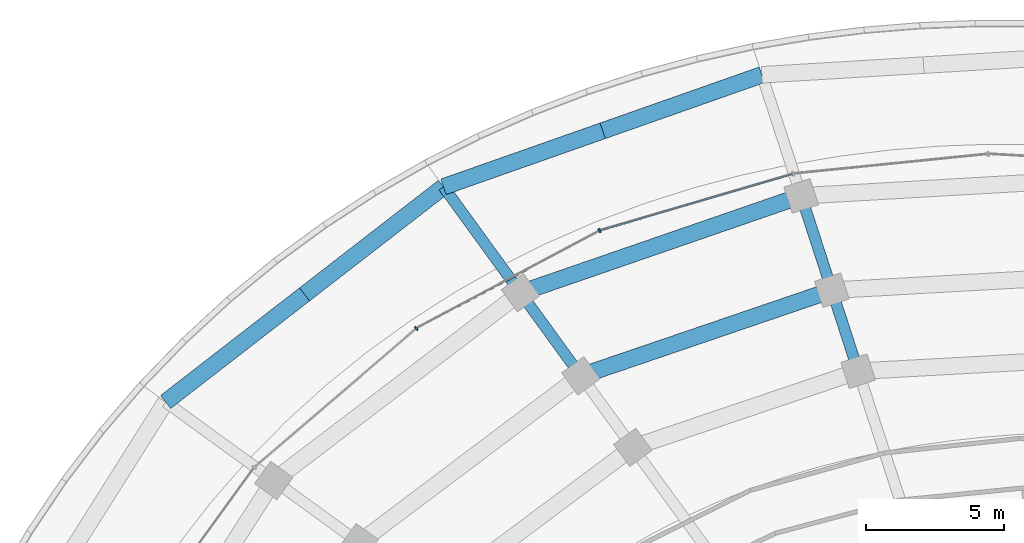
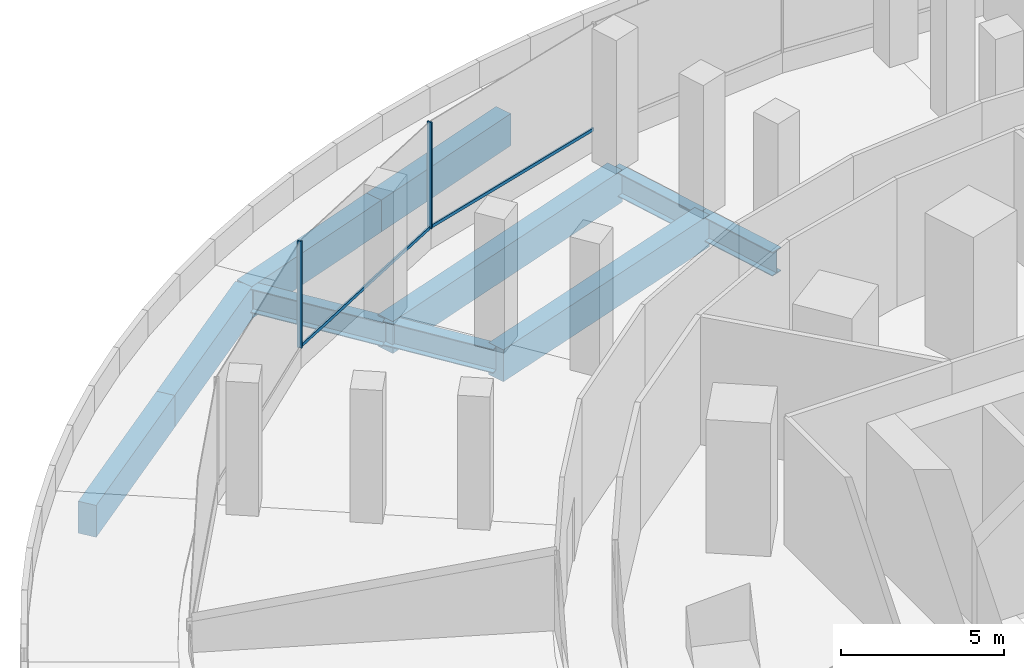
# One storey, part 16 of 31: 10 beams, 4 members, 2 elements without a shape of their own.
"""IFC4 building model written with IfcOpenShell, lengths in metres."""

from ifc_helpers import new_model, si_unit, direction, frame, origin, origin_2d, place, context, subcontext, project, spatial, rectangle, i_section, extrude, material, material_profile, profile_set, type_object, element, aggregate, save


model = new_model("IFC4")

# Units and contexts
model_context = context("Model", 3, precision=1e-05, world=origin(), true_north=direction((0.0, 1.0)))
body_context = subcontext(model_context, "Body", "Model", "MODEL_VIEW")
ifc_project = project(units=[si_unit("LENGTHUNIT", "METRE"), si_unit("AREAUNIT", "SQUARE_METRE"), si_unit("VOLUMEUNIT", "CUBIC_METRE"), si_unit("PLANEANGLEUNIT", "RADIAN"), si_unit("MASSUNIT", "GRAM", prefix="KILO")], contexts=[model_context])

# Site, building, storey
site_placement = place(None, origin())
site = spatial("IfcSite", under=ifc_project, at=site_placement, CompositionType="ELEMENT")
building_placement = place(site_placement, origin())
building = spatial("IfcBuilding", under=site, at=building_placement, Name="Marramba Exchange Tower", CompositionType="ELEMENT")
storey_placement = place(building_placement, frame((0.0, 0.0, 5.60009765625)))
storey = spatial("IfcBuildingStorey", under=building, at=storey_placement, Name="L01", CompositionType="ELEMENT", Elevation=5.60009765625)

# Beams
ifc_material_1 = material(Name="Concrete N50", Category="concrete")
ifc_material_profile_1 = material_profile(ifc_material_1, rectangle(XDim=0.60009765625, YDim=1.199951171875, at=origin_2d()), Name="RC 600x1200")
ifc_profile_set_1 = profile_set([ifc_material_profile_1], Name="Concrete N50")
beam_type_1 = type_object("IfcBeamType", Name="Edge beam RC 600x1200 N50", PredefinedType="SPANDREL", material=ifc_profile_set_1)
beam_1_placement = place(storey_placement, frame((-11.728759765625, 36.097412109375, -0.85009765625), z_axis=(-0.943311003033, -0.33191015585, 0.0), x_axis=(0.33191015585, -0.943311003033, 0.0)))
element("IfcBeam", 1, at=beam_1_placement, inside=storey, type_object=beam_type_1, Name="Edge beam L01 P0C07 half 1", PredefinedType="SPANDREL", context=body_context, shape_type="SweptSolid", body=[
    extrude(rectangle(XDim=0.60009765625, YDim=1.199951171875, at=origin_2d()), origin(), (0.0, 0.0, 1.0), 6.119873046875),
])
beam_2_placement = place(storey_placement, frame((-17.501708984375, 34.066162109375, -0.85009765625), z_axis=(-0.943327886486, -0.331862168042, 0.0), x_axis=(0.331862168042, -0.943327886486, 0.0)))
element("IfcBeam", 2, at=beam_2_placement, inside=storey, type_object=beam_type_1, Name="Edge beam L01 P0C07 half 2", PredefinedType="SPANDREL", context=body_context, shape_type="SweptSolid", body=[
    extrude(rectangle(XDim=0.60009765625, YDim=1.199951171875, at=origin_2d()), origin(), (0.0, 0.0, 1.0), 6.1201171875),
])
beam_3_placement = place(storey_placement, frame((-23.27490234375, 32.03515625, -0.85009765625), z_axis=(-0.790645934267, -0.612273637051, 0.0), x_axis=(0.612273637051, -0.790645934267, 0.0)))
element("IfcBeam", 3, at=beam_3_placement, inside=storey, type_object=beam_type_1, Name="Edge beam L01 P0C08 half 1", PredefinedType="SPANDREL", context=body_context, shape_type="SweptSolid", body=[
    extrude(rectangle(XDim=0.60009765625, YDim=1.199951171875, at=origin_2d()), origin(), (0.0, 0.0, 1.0), 6.372802734375),
])
beam_4_placement = place(storey_placement, frame((-28.3134765625, 28.13330078125, -0.85009765625), z_axis=(-0.790664479988, -0.612249687697, 0.0), x_axis=(0.612249687697, -0.790664479988, 0.0)))
element("IfcBeam", 4, at=beam_4_placement, inside=storey, type_object=beam_type_1, Name="Edge beam L01 P0C08 half 2", PredefinedType="SPANDREL", context=body_context, shape_type="SweptSolid", body=[
    extrude(rectangle(XDim=0.60009765625, YDim=1.199951171875, at=origin_2d()), origin(), (0.0, 0.0, 1.0), 6.37255859375),
])
beam_5_placement = place(storey_placement, frame((-10.302001953125, 31.706298828125, -0.800048828125), z_axis=(-0.945263321131, -0.326308525364, 0.0), x_axis=(0.326308525364, -0.945263321131, 0.0)))
element("IfcBeam", 5, at=beam_5_placement, inside=storey, type_object=beam_type_1, Name="Edge beam L01 P1C07", PredefinedType="SPANDREL", context=body_context, shape_type="SweptSolid", body=[
    extrude(rectangle(XDim=0.60009765625, YDim=1.199951171875, at=origin_2d()), origin(), (0.0, 0.0, 1.0), 10.770263671875),
])
beam_6_placement = place(storey_placement, frame((-9.190185546875, 28.28466796875, -0.800048828125), z_axis=(-0.946485697002, -0.322745759649, 0.0), x_axis=(0.322745759649, -0.946485697002, 0.0)))
element("IfcBeam", 6, at=beam_6_placement, inside=storey, type_object=beam_type_1, Name="Edge beam L01 P2C07", PredefinedType="SPANDREL", context=body_context, shape_type="SweptSolid", body=[
    extrude(rectangle(XDim=0.60009765625, YDim=1.199951171875, at=origin_2d()), origin(), (0.0, 0.0, 1.0), 9.618896484375),
])

# Curtain wall, members
ifc_material_2 = material(Name="Aluminium framing, bronze anodised", Category="aluminium")
curtain_wall_type = type_object("IfcCurtainWallType", Name="Podium ribbon curtain wall", PredefinedType="USERDEFINED", material=ifc_material_2)
curtain_wall_1_placement = place(storey_placement, origin())
curtain_wall_1 = element("IfcCurtainWall", 7, at=curtain_wall_1_placement, inside=storey, type_object=curtain_wall_type, Name="Curtain wall CW2 L01 F11-F15", ObjectType="RIBBON CURTAIN WALL", PredefinedType="USERDEFINED")
ifc_material_3 = material(Name="Aluminium mullion, bronze anodised", Category="aluminium")
ifc_material_profile_2 = material_profile(ifc_material_3, rectangle(XDim=0.159912109375, YDim=0.06005859375, at=origin_2d()), Name="CW2 mullion 60x160")
ifc_profile_set_2 = profile_set([ifc_material_profile_2], Name="Aluminium mullion, bronze anodised")
member_type_1 = type_object("IfcMemberType", Name="Podium ribbon curtain wall mullion", PredefinedType="MULLION", material=ifc_profile_set_2)
member_1_placement = place(storey_placement, frame((-17.6123046875, 30.4453125, 0.7998046875), z_axis=(0.0, 0.0, 1.0), x_axis=(0.469653845466, -0.8828506473, 0.0)))
member_1 = element("IfcMember", 8, at=member_1_placement, type_object=member_type_1, Name="CW2 mullion 1", PredefinedType="MULLION", context=body_context, shape_type="SweptSolid", body=[
    extrude(rectangle(XDim=0.159912109375, YDim=0.06005859375, at=origin_2d()), origin(), (0.0, 0.0, 1.0), 4.0),
])
member_2_placement = place(storey_placement, frame((-24.26171875, 26.900634765625, 0.7998046875), z_axis=(0.0, 0.0, 1.0), x_axis=(0.650654536613, -0.759373869701, 0.0)))
member_2 = element("IfcMember", 9, at=member_2_placement, type_object=member_type_1, Name="CW2 mullion 1", PredefinedType="MULLION", context=body_context, shape_type="SweptSolid", body=[
    extrude(rectangle(XDim=0.159912109375, YDim=0.06005859375, at=origin_2d()), origin(), (0.0, 0.0, 1.0), 4.0),
])

# Curtain wall, member
curtain_wall_2_placement = place(storey_placement, origin())
curtain_wall_2 = element("IfcCurtainWall", 10, at=curtain_wall_2_placement, inside=storey, type_object=curtain_wall_type, Name="Curtain wall CW2 L01 F06-F10", ObjectType="RIBBON CURTAIN WALL", PredefinedType="USERDEFINED")
ifc_material_4 = material(Name="Aluminium transom, bronze anodised", Category="aluminium")
ifc_material_profile_3 = material_profile(ifc_material_4, rectangle(XDim=0.06005859375, YDim=0.1201171875, at=origin_2d()), Name="CW2 transom 60x120")
ifc_profile_set_3 = profile_set([ifc_material_profile_3], Name="Aluminium transom, bronze anodised")
member_type_2 = type_object("IfcMemberType", Name="Podium ribbon curtain wall transom", PredefinedType="USERDEFINED", material=ifc_profile_set_3)
member_3_placement = place(storey_placement, frame((-10.622314453125, 32.497802734375, 0.829833984375), z_axis=(-0.959727450086, -0.28093277052, 0.0), x_axis=(0.28093277052, -0.959727450086, 0.0)))
member_3 = element("IfcMember", 11, at=member_3_placement, type_object=member_type_2, Name="CW2 sill transom", ObjectType="TRANSOM", PredefinedType="USERDEFINED", context=body_context, shape_type="SweptSolid", body=[
    extrude(rectangle(XDim=0.06005859375, YDim=0.1201171875, at=origin_2d()), origin(), (0.0, 0.0, 1.0), 7.255615234375),
])
aggregate(curtain_wall_2, [member_3])

# Member
member_4_placement = place(storey_placement, frame((-17.638671875, 30.43115234375, 0.829833984375), z_axis=(-0.882863170595, -0.469630303544, 0.0), x_axis=(0.469630303544, -0.882863170595, 0.0)))
member_4 = element("IfcMember", 12, at=member_4_placement, type_object=member_type_2, Name="CW2 sill transom", ObjectType="TRANSOM", PredefinedType="USERDEFINED", context=body_context, shape_type="SweptSolid", body=[
    extrude(rectangle(XDim=0.06005859375, YDim=0.1201171875, at=origin_2d()), origin(), (0.0, 0.0, 1.0), 7.47607421875),
])

aggregate(curtain_wall_1, [member_1, member_4, member_2])

# Beams
ifc_material_5 = material(Name="Steel AS/NZS 3679.2 grade 300", Category="steel")
ifc_material_profile_4 = material_profile(ifc_material_5, i_section(OverallWidth=0.39990234375, OverallDepth=0.89990234375, WebThickness=0.01611328125, FlangeThickness=0.031982421875, at=origin_2d()), Name="900WB282")
ifc_profile_set_4 = profile_set([ifc_material_profile_4], Name="Steel AS/NZS 3679.2 grade 300")
beam_type_2 = type_object("IfcBeamType", Name="Radial girder 900WB282", PredefinedType="BEAM", material=ifc_profile_set_4)
beam_7_placement = place(storey_placement, frame((-23.27490234375, 32.03515625, -0.7001953125), z_axis=(0.587777432496, -0.809022675732, 0.0), x_axis=(0.809022675732, 0.587777432496, 0.0)))
element("IfcBeam", 13, at=beam_7_placement, inside=storey, type_object=beam_type_2, Name="Radial girder L01 P0C08", PredefinedType="BEAM", context=body_context, shape_type="SweptSolid", body=[
    extrude(i_section(OverallWidth=0.39990234375, OverallDepth=0.89990234375, WebThickness=0.01611328125, FlangeThickness=0.031982421875, at=origin_2d()), origin(), (0.0, 0.0, 1.0), 4.75048828125),
])
beam_8_placement = place(storey_placement, frame((-10.302001953125, 31.706298828125, -0.650146484375), z_axis=(0.309032367287, -0.951051521196, 0.0), x_axis=(0.951051521196, 0.309032367287, 0.0)))
element("IfcBeam", 14, at=beam_8_placement, inside=storey, type_object=beam_type_2, Name="Radial girder L01 P1C07", PredefinedType="BEAM", context=body_context, shape_type="SweptSolid", body=[
    extrude(i_section(OverallWidth=0.39990234375, OverallDepth=0.89990234375, WebThickness=0.01611328125, FlangeThickness=0.031982421875, at=origin_2d()), origin(), (0.0, 0.0, 1.0), 3.59765625),
])
beam_9_placement = place(storey_placement, frame((-20.482666015625, 28.19189453125, -0.650146484375), z_axis=(0.587801192771, -0.809005412699, 0.0), x_axis=(0.809005412699, 0.587801192771, 0.0)))
element("IfcBeam", 15, at=beam_9_placement, inside=storey, type_object=beam_type_2, Name="Radial girder L01 P1C08", PredefinedType="BEAM", context=body_context, shape_type="SweptSolid", body=[
    extrude(i_section(OverallWidth=0.39990234375, OverallDepth=0.89990234375, WebThickness=0.01611328125, FlangeThickness=0.031982421875, at=origin_2d()), origin(), (0.0, 0.0, 1.0), 3.72265625),
])
beam_10_placement = place(storey_placement, frame((-9.190185546875, 28.28466796875, -0.650146484375), z_axis=(0.309009210268, -0.951059045469, 0.0), x_axis=(0.951059045469, 0.309009210268, 0.0)))
element("IfcBeam", 16, at=beam_10_placement, inside=storey, type_object=beam_type_2, Name="Radial girder L01 P2C07", PredefinedType="BEAM", context=body_context, shape_type="SweptSolid", body=[
    extrude(i_section(OverallWidth=0.39990234375, OverallDepth=0.89990234375, WebThickness=0.01611328125, FlangeThickness=0.031982421875, at=origin_2d()), origin(), (0.0, 0.0, 1.0), 3.08837890625),
])

save(model, "model.ifc")
